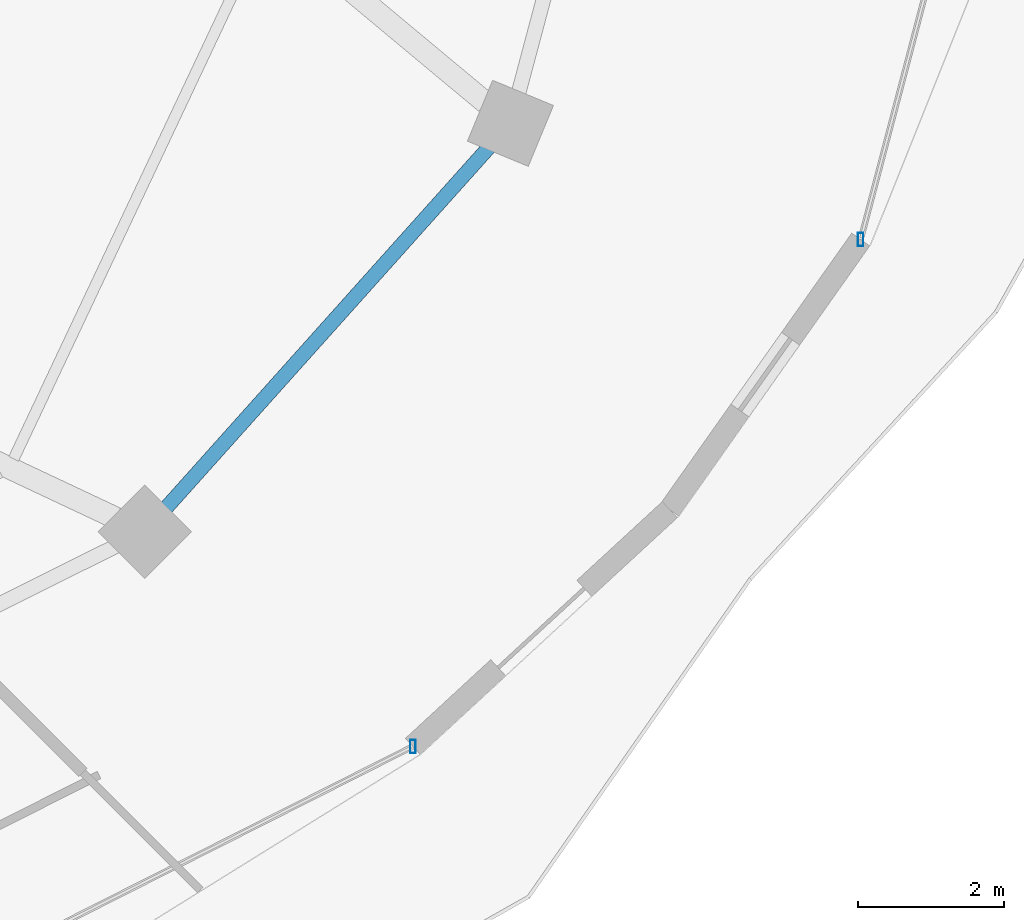
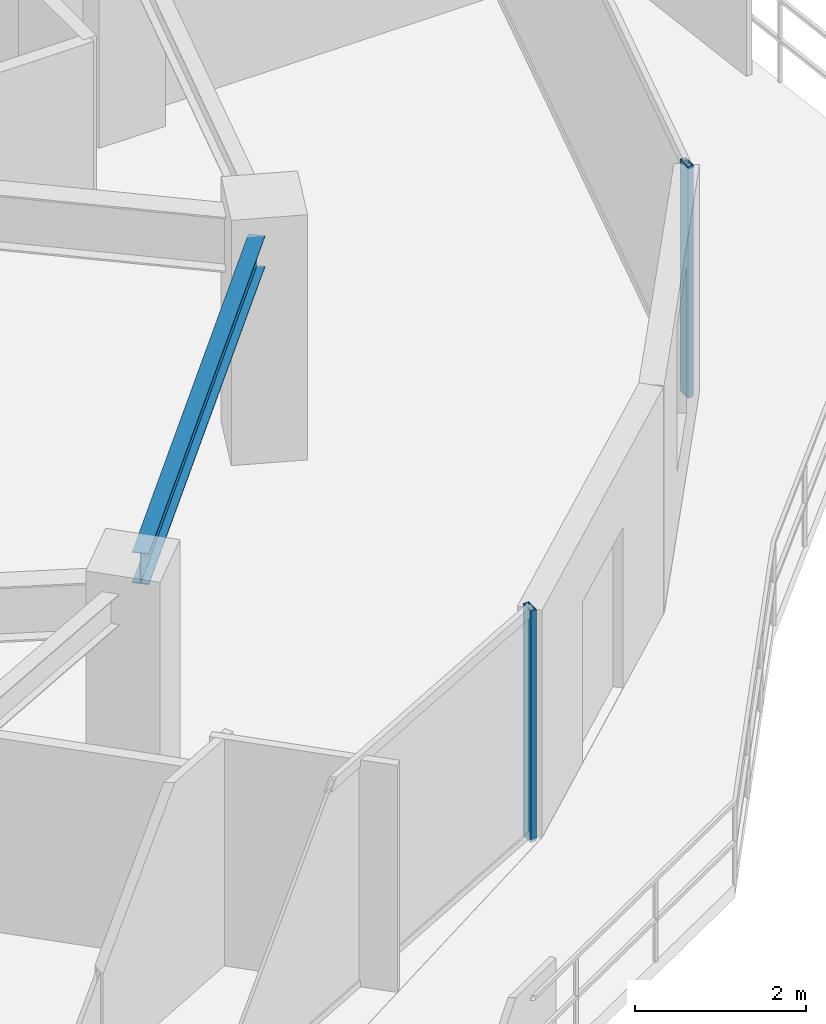
# One storey, part 13 of 33: 2 members, 1 beam, 2 elements without a shape of their own.
"""IFC4 building model written with IfcOpenShell, lengths in metres."""

from ifc_helpers import new_model, si_unit, direction, frame, origin, origin_2d, place, context, subcontext, project, spatial, hollow_rectangle, i_section, extrude, material, material_profile, profile_set, type_object, element, aggregate, save


model = new_model("IFC4")

# Units and contexts
model_context = context("Model", 3, precision=1e-05, world=origin(), true_north=direction((0.0, 1.0)))
body_context = subcontext(model_context, "Body", "Model", "MODEL_VIEW")
ifc_project = project(units=[si_unit("LENGTHUNIT", "METRE"), si_unit("AREAUNIT", "SQUARE_METRE"), si_unit("VOLUMEUNIT", "CUBIC_METRE"), si_unit("PLANEANGLEUNIT", "RADIAN"), si_unit("MASSUNIT", "GRAM", prefix="KILO")], contexts=[model_context])

# Site, building, storey
site_placement = place(None, origin())
site = spatial("IfcSite", under=ifc_project, at=site_placement, CompositionType="ELEMENT")
building_placement = place(site_placement, origin())
building = spatial("IfcBuilding", under=site, at=building_placement, Name="Vorneva Point Tower", CompositionType="ELEMENT")
storey_placement = place(building_placement, frame((0.0, 0.0, 189.60009765625)))
storey = spatial("IfcBuildingStorey", under=building, at=storey_placement, Name="L51", CompositionType="ELEMENT", Elevation=189.60009765625)

# Beam
ifc_material_1 = material(Name="Steel S355", Category="steel")
ifc_material_profile_1 = material_profile(ifc_material_1, i_section(OverallWidth=0.198974609375, OverallDepth=0.446044921875, WebThickness=0.008056640625, FlangeThickness=0.011962890625, at=origin_2d()), Name="45B1")
ifc_profile_set_1 = profile_set([ifc_material_profile_1], Name="Steel S355")
beam_type = type_object("IfcBeamType", Name="BM-SPN-45B1", PredefinedType="SPANDREL", material=ifc_profile_set_1)
beam_placement = place(storey_placement, frame((54.589111328125, 14.161865234375, 3.016845703125), z_axis=(0.66706970547, 0.744995307397, 0.0), x_axis=(-0.744995307397, 0.66706970547, 0.0)))
element("IfcBeam", 1, at=beam_placement, inside=storey, type_object=beam_type, Name="L51 Perimeter Spandrel Ring Beam 15", PredefinedType="SPANDREL", context=body_context, shape_type="SweptSolid", body=[
    extrude(i_section(OverallWidth=0.198974609375, OverallDepth=0.446044921875, WebThickness=0.008056640625, FlangeThickness=0.011962890625, at=origin_2d()), origin(), (0.0, 0.0, 1.0), 6.6201171875),
])

# Curtain wall, member
ifc_material_2 = material(Name="Pale anodised aluminium", Category="aluminium")
curtain_wall_type = type_object("IfcCurtainWallType", Name="CW-RES-SYS", PredefinedType="NOTDEFINED", material=ifc_material_2)
curtain_wall_1_placement = place(storey_placement, origin())
curtain_wall_1 = element("IfcCurtainWall", 2, at=curtain_wall_1_placement, inside=storey, type_object=curtain_wall_type, Name="L51 Unitised Curtain Wall CW-L51-R01", PredefinedType="NOTDEFINED")
ifc_material_profile_2 = material_profile(ifc_material_2, hollow_rectangle(XDim=0.074951171875, YDim=0.179931640625, WallThickness=0.00390625, at=origin_2d()), Name="AL-MUL 180x75x4")
ifc_profile_set_2 = profile_set([ifc_material_profile_2], Name="Pale anodised aluminium")
member_type = type_object("IfcMemberType", Name="CW-MUL-180", PredefinedType="MULLION", material=ifc_profile_set_2)
member_1_placement = place(storey_placement, frame((64.0810546875, 17.82958984375, -0.0400390625), z_axis=(0.0, 0.0, 1.0), x_axis=(1.0, 0.0, 0.0)))
member_1 = element("IfcMember", 3, at=member_1_placement, type_object=member_type, Name="CW-L51-R01 Mullion 01", PredefinedType="MULLION", context=body_context, shape_type="SweptSolid", body=[
    extrude(hollow_rectangle(XDim=0.074951171875, YDim=0.179931640625, WallThickness=0.00390625, at=origin_2d()), origin(), (0.0, 0.0, 1.0), 3.31005859375),
])
aggregate(curtain_wall_1, [member_1])

curtain_wall_2_placement = place(storey_placement, origin())
curtain_wall_2 = element("IfcCurtainWall", 4, at=curtain_wall_2_placement, inside=storey, type_object=curtain_wall_type, Name="L51 Unitised Curtain Wall CW-L51-R04", PredefinedType="NOTDEFINED")
member_2_placement = place(storey_placement, frame((57.961669921875, 10.9033203125, -0.0400390625), z_axis=(0.0, 0.0, 1.0), x_axis=(1.0, 0.0, 0.0)))
member_2 = element("IfcMember", 5, at=member_2_placement, type_object=member_type, Name="CW-L51-R04 Mullion 05", PredefinedType="MULLION", context=body_context, shape_type="SweptSolid", body=[
    extrude(hollow_rectangle(XDim=0.074951171875, YDim=0.179931640625, WallThickness=0.00390625, at=origin_2d()), origin(), (0.0, 0.0, 1.0), 3.31005859375),
])
aggregate(curtain_wall_2, [member_2])

save(model, "model.ifc")
